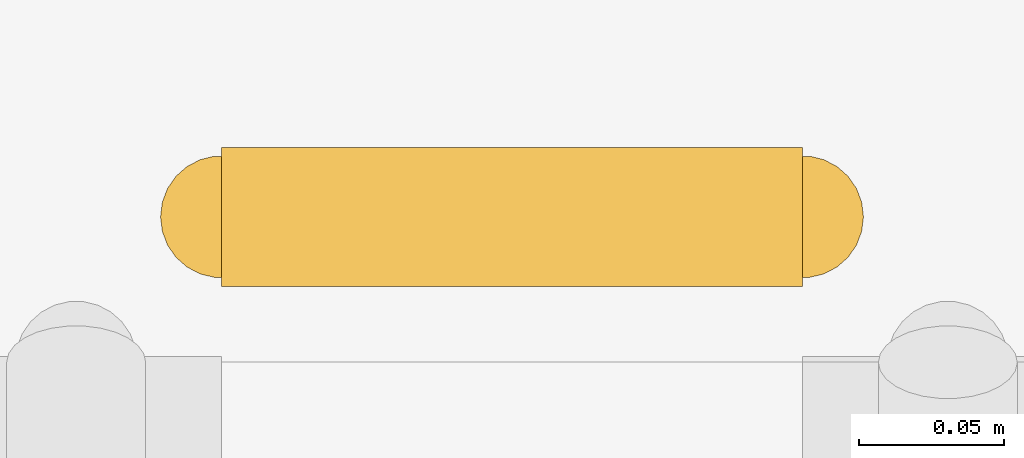
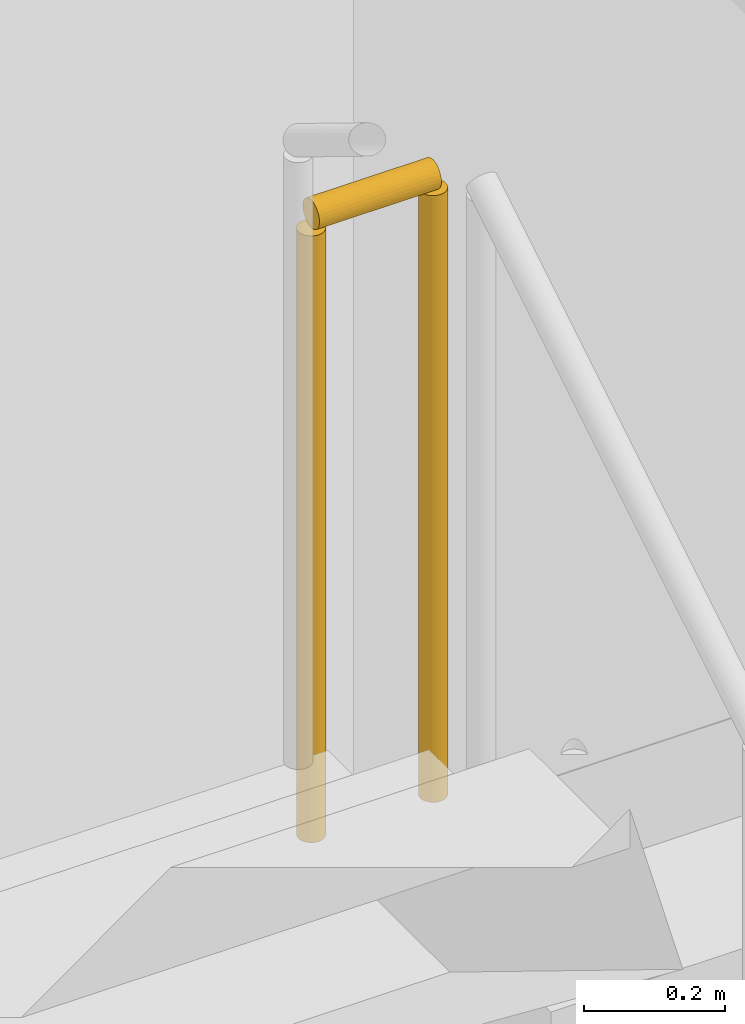
# One storey, part 31 of 32: 1 railing.
"""IFC4 building model written with IfcOpenShell, lengths in metres."""

from ifc_helpers import new_model, si_unit, direction, frame, origin, origin_2d, place, context, subcontext, project, spatial, circle, extrude, material, type_object, element, save


model = new_model("IFC4")

# Units and contexts
model_context = context("Model", 3, precision=1e-05, world=origin(), true_north=direction((0.0, 1.0)))
body_context = subcontext(model_context, "Body", "Model", "MODEL_VIEW")
ifc_project = project(units=[si_unit("LENGTHUNIT", "METRE"), si_unit("AREAUNIT", "SQUARE_METRE"), si_unit("VOLUMEUNIT", "CUBIC_METRE"), si_unit("PLANEANGLEUNIT", "RADIAN"), si_unit("MASSUNIT", "GRAM", prefix="KILO")], contexts=[model_context])

# Site, building, storey
site_placement = place(None, origin())
site = spatial("IfcSite", under=ifc_project, at=site_placement, CompositionType="ELEMENT")
building_placement = place(site_placement, origin())
building = spatial("IfcBuilding", under=site, at=building_placement, Name="Qelthora Terrace Specialist Clinic", CompositionType="ELEMENT")
storey_placement = place(building_placement, frame((0.0, 0.0, -4.199951171875)))
storey = spatial("IfcBuildingStorey", under=building, at=storey_placement, Name="B1", CompositionType="ELEMENT", Elevation=-4.199951171875)

# Railing
ifc_material = material(Name="Steel S355", Category="steel")
railing_type = type_object("IfcRailingType", Name="RAL-GD-1100-S355", PredefinedType="GUARDRAIL", material=ifc_material)
railing_placement = place(storey_placement, frame((39.699951171875, 97.5849609375, 2.099853515625)))
element("IfcRailing", 1, at=railing_placement, inside=storey, type_object=railing_type, Name="B1 ST-02 stair guard 2", PredefinedType="GUARDRAIL", context=body_context, shape_type="SweptSolid", body=[
    extrude(circle(Radius=0.02392578125, at=origin_2d()), frame((0.0, 0.0, 1.076171875), z_axis=(-1.0, 0.0, 0.0), x_axis=(0.0, -1.0, 0.0)), (0.0, 0.0, 1.0), 0.199951171875),
    extrude(circle(Radius=0.02099609375, at=origin_2d()), origin(), (0.0, 0.0, 1.0), 1.052001953125),
    extrude(circle(Radius=0.02099609375, at=origin_2d()), frame((-0.199951171875, 0.0, 0.0)), (0.0, 0.0, 1.0), 1.052001953125),
])

save(model, "model.ifc")
